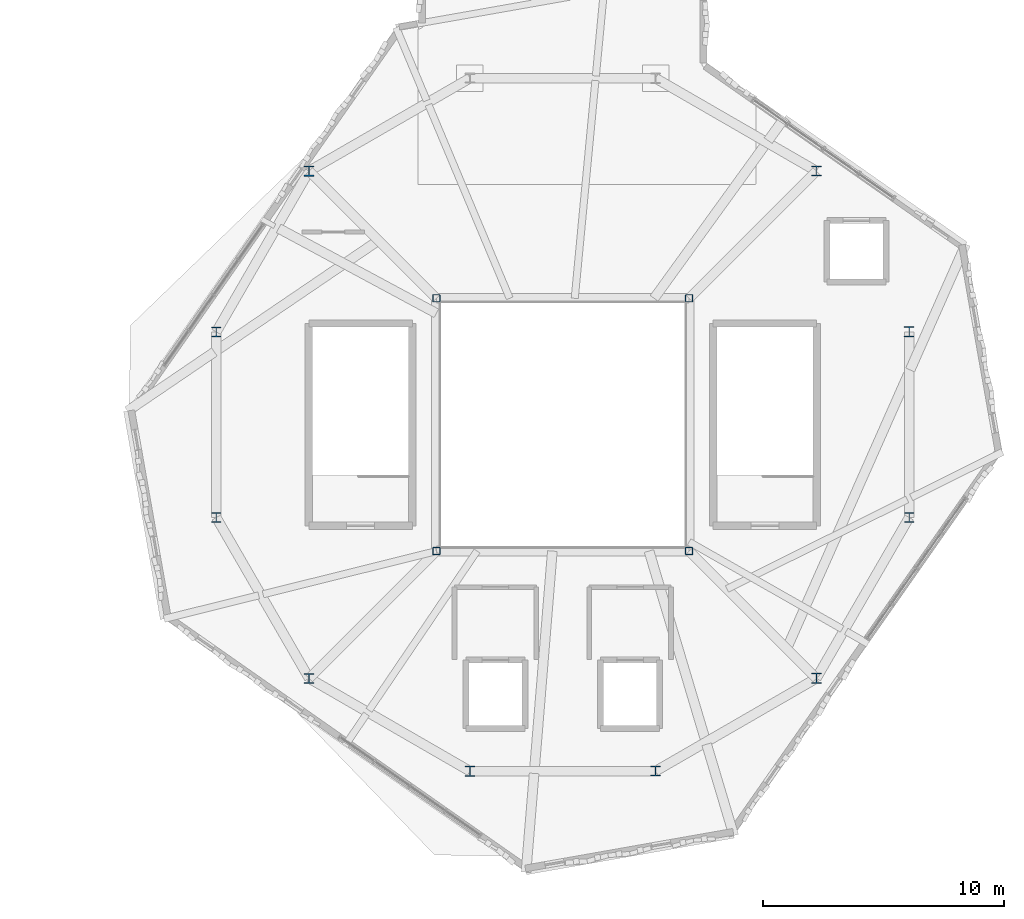
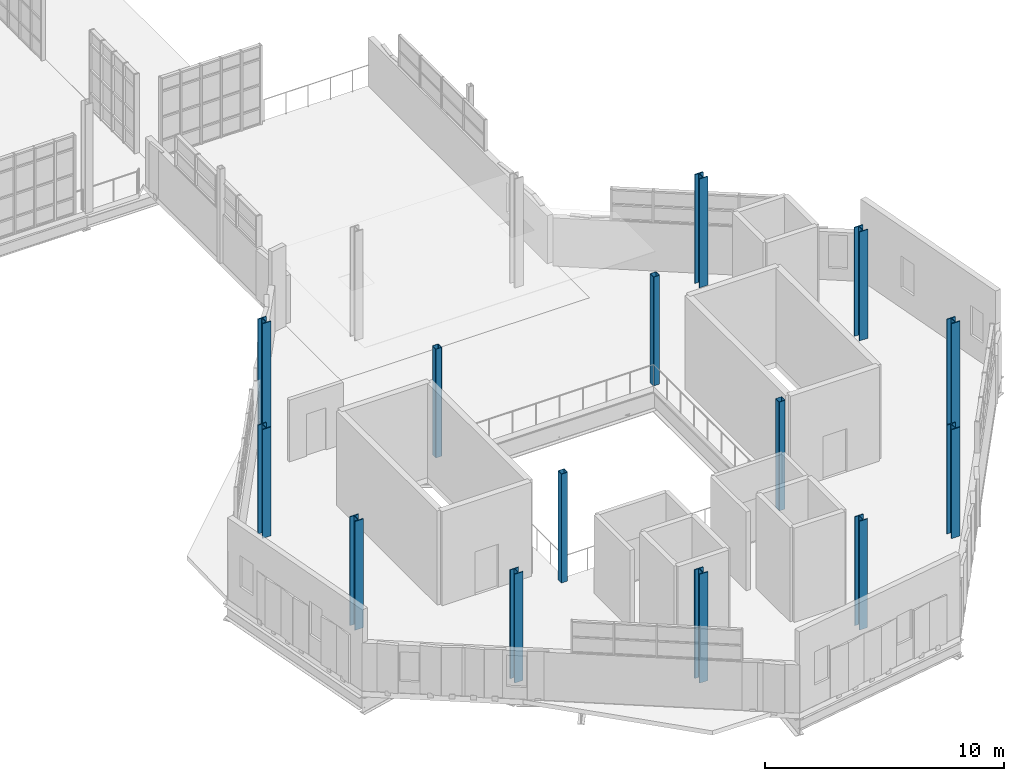
# One storey, part 1 of 36: 14 columns.
"""IFC4 building model written with IfcOpenShell, lengths in metres."""

from ifc_helpers import new_model, si_unit, direction, frame, origin, origin_2d, place, context, subcontext, project, spatial, hollow_rectangle, i_section, extrude, material, material_profile, profile_set, type_object, element, save


model = new_model("IFC4")

# Units and contexts
model_context = context("Model", 3, precision=1e-05, world=origin(), true_north=direction((0.0, 1.0)))
body_context = subcontext(model_context, "Body", "Model", "MODEL_VIEW")
ifc_project = project(units=[si_unit("LENGTHUNIT", "METRE"), si_unit("AREAUNIT", "SQUARE_METRE"), si_unit("VOLUMEUNIT", "CUBIC_METRE"), si_unit("PLANEANGLEUNIT", "RADIAN"), si_unit("MASSUNIT", "GRAM", prefix="KILO"), si_unit("THERMODYNAMICTEMPERATUREUNIT", "KELVIN"), si_unit("POWERUNIT", "WATT")], contexts=[model_context])

# Site, building, storey
site_placement = place(None, origin())
site = spatial("IfcSite", under=ifc_project, at=site_placement, CompositionType="ELEMENT")
building_placement = place(site_placement, origin())
building = spatial("IfcBuilding", under=site, at=building_placement, Name="Zelmaris Science Centre", CompositionType="ELEMENT")
storey_placement = place(building_placement, frame((0.0, 0.0, 25.199951171875)))
storey = spatial("IfcBuildingStorey", under=building, at=storey_placement, Name="L05", CompositionType="ELEMENT", Elevation=25.199951171875)

# Columns
ifc_material_1 = material(Name="Steel ASTM A992 Grade 50", Category="steel")
ifc_material_profile_1 = material_profile(ifc_material_1, i_section(OverallWidth=0.412109375, OverallDepth=0.43408203125, WebThickness=0.035888671875, FlangeThickness=0.044189453125, FilletRadius=0.014892578125, at=origin_2d()), Name="W14X311")
ifc_profile_set_1 = profile_set([ifc_material_profile_1], Name="Steel ASTM A992 Grade 50")
column_type_1 = type_object("IfcColumnType", Name="Column C-01 W14X311", PredefinedType="COLUMN", material=ifc_profile_set_1)
for number, where, z_axis, x_axis, name in (
    (1, (95.392333984375, 39.8564453125, 0.0), (0.0, 0.0, 1.0), (1.0, 0.0, 0.0), "Column V2-MC01 L05"),
    (2, (70.464111328125, 46.535888671875, 0.0), (0.0, 0.0, 1.0), (1.0, 0.0, 0.0), "Column V2-MC05 L05"),
    (3, (66.607666015625, 32.1435546875, 0.0), (0.0, 0.0, 1.0), (1.0, 0.0, 0.0), "Column V2-MC07 L05"),
    (4, (77.1435546875, 21.607666015625, 0.0), (0.0, 0.0, 1.0), (1.0, 0.0, 0.0), "Column V2-MC09 L05"),
    (5, (91.535888671875, 25.464111328125, 0.0), (0.0, 0.0, 1.0), (1.0, 0.0, 0.0), "Column V2-MC11 L05"),
):
    element("IfcColumn", number, at=place(storey_placement, frame(where, z_axis=z_axis, x_axis=x_axis)), inside=storey, type_object=column_type_1, Name=name, PredefinedType="COLUMN", context=body_context, shape_type="SweptSolid", body=[
        extrude(i_section(OverallWidth=0.412109375, OverallDepth=0.43408203125, WebThickness=0.035888671875, FlangeThickness=0.044189453125, FilletRadius=0.014892578125, at=origin_2d()), origin(), (0.0, 0.0, 1.0), 5.550048828125),
    ])
ifc_material_profile_2 = material_profile(ifc_material_1, i_section(OverallWidth=0.406005859375, OverallDepth=0.4169921875, WebThickness=0.02978515625, FlangeThickness=0.04443359375, FilletRadius=0.014892578125, at=origin_2d()), Name="W14X257")
ifc_profile_set_2 = profile_set([ifc_material_profile_2], Name="Steel ASTM A992 Grade 50")
column_type_2 = type_object("IfcColumnType", Name="Column C-02 W14X257", PredefinedType="COLUMN", material=ifc_profile_set_2)
for number, where, z_axis, x_axis, name in (
    (6, (91.535888671875, 46.535888671875, 0.0), (0.0, 0.0, 1.0), (1.0, 0.0, 0.0), "Column V2-MC02 L05"),
    (7, (66.607666015625, 39.8564453125, 0.0), (0.0, 0.0, 1.0), (1.0, 0.0, 0.0), "Column V2-MC06 L05"),
    (8, (70.464111328125, 25.464111328125, 0.0), (0.0, 0.0, 1.0), (1.0, 0.0, 0.0), "Column V2-MC08 L05"),
    (9, (84.8564453125, 21.607666015625, 0.0), (0.0, 0.0, 1.0), (1.0, 0.0, 0.0), "Column V2-MC10 L05"),
    (10, (95.392333984375, 32.1435546875, 0.0), (0.0, 0.0, 1.0), (1.0, 0.0, 0.0), "Column V2-MC12 L05"),
):
    element("IfcColumn", number, at=place(storey_placement, frame(where, z_axis=z_axis, x_axis=x_axis)), inside=storey, type_object=column_type_2, Name=name, PredefinedType="COLUMN", context=body_context, shape_type="SweptSolid", body=[
        extrude(i_section(OverallWidth=0.406005859375, OverallDepth=0.4169921875, WebThickness=0.02978515625, FlangeThickness=0.04443359375, FilletRadius=0.014892578125, at=origin_2d()), origin(), (0.0, 0.0, 1.0), 5.550048828125),
    ])
ifc_material_2 = material(Name="Steel ASTM A500 Grade C", Category="steel")
ifc_material_profile_3 = material_profile(ifc_material_2, hollow_rectangle(XDim=0.3046875, YDim=0.3046875, WallThickness=0.0146484375, InnerFilletRadius=0.0146484375, OuterFilletRadius=0.029296875, at=origin_2d()), Name="HSS305X305X16")
ifc_profile_set_3 = profile_set([ifc_material_profile_3], Name="Steel ASTM A500 Grade C")
column_type_3 = type_object("IfcColumnType", Name="Column C-10 HSS305X305X16", PredefinedType="COLUMN", material=ifc_profile_set_3)
for number, where, z_axis, x_axis, name in (
    (11, (75.75, 30.75, 0.0), (0.0, 0.0, 1.0), (1.0, 0.0, 0.0), "Column V2-AC01 L05"),
    (12, (86.25, 30.75, 0.0), (0.0, 0.0, 1.0), (1.0, 0.0, 0.0), "Column V2-AC02 L05"),
    (13, (86.25, 41.25, 0.0), (0.0, 0.0, 1.0), (1.0, 0.0, 0.0), "Column V2-AC03 L05"),
    (14, (75.75, 41.25, 0.0), (0.0, 0.0, 1.0), (1.0, 0.0, 0.0), "Column V2-AC04 L05"),
):
    element("IfcColumn", number, at=place(storey_placement, frame(where, z_axis=z_axis, x_axis=x_axis)), inside=storey, type_object=column_type_3, Name=name, PredefinedType="COLUMN", context=body_context, shape_type="SweptSolid", body=[
        extrude(hollow_rectangle(XDim=0.3046875, YDim=0.3046875, WallThickness=0.0146484375, InnerFilletRadius=0.0146484375, OuterFilletRadius=0.029296875, at=origin_2d()), origin(), (0.0, 0.0, 1.0), 5.550048828125),
    ])

save(model, "model.ifc")
